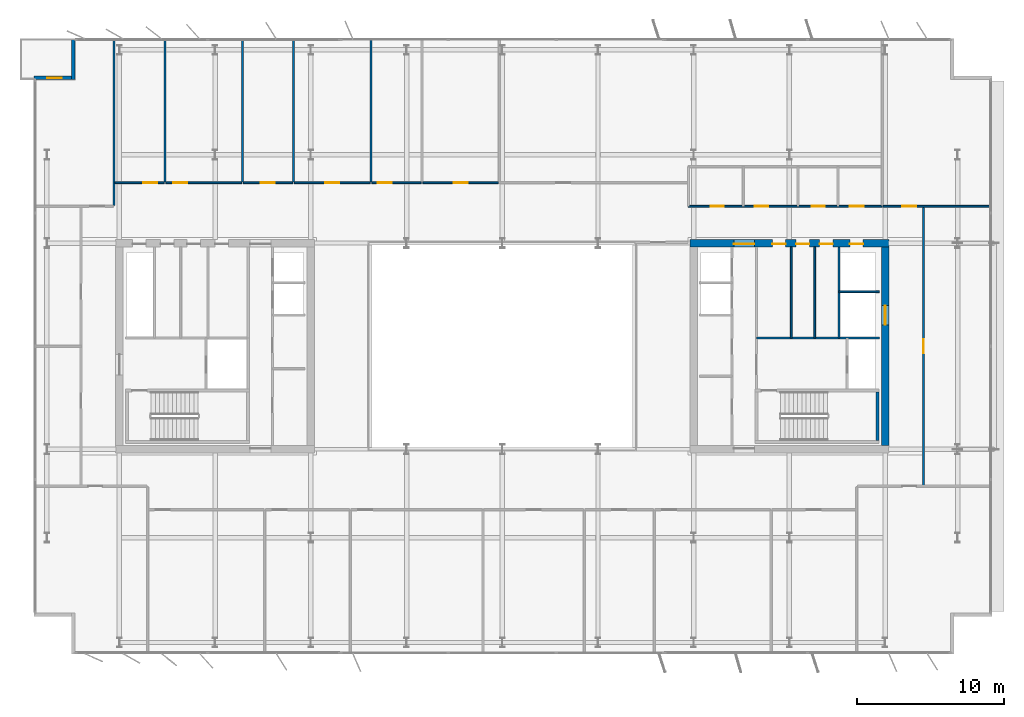
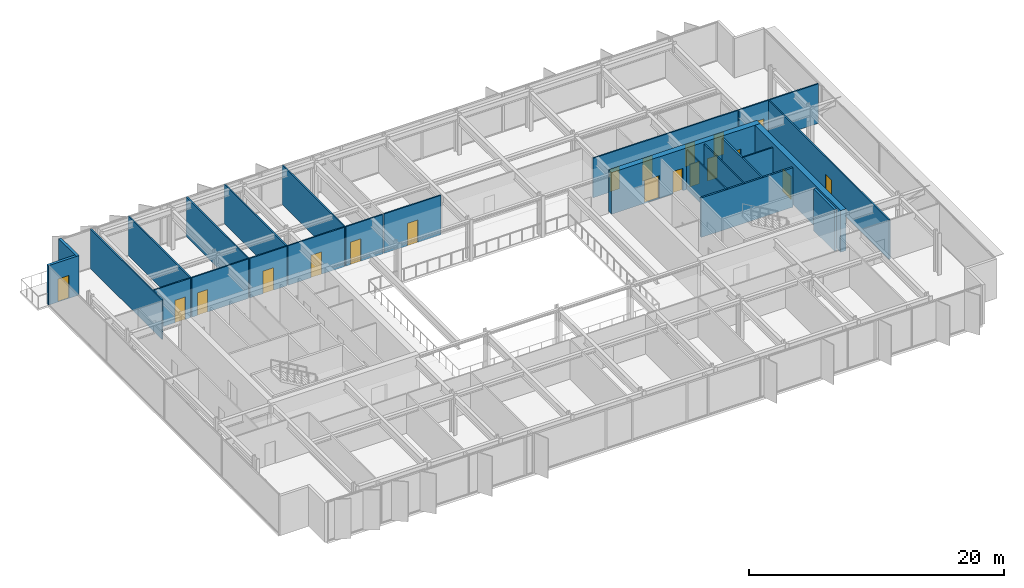
# One storey, part 15 of 21: 24 walls, 19 doors, 19 openings.
"""IFC4 building model written with IfcOpenShell, lengths in metres."""

from ifc_helpers import new_model, si_unit, direction, frame, frame_2d, origin, place, context, subcontext, project, spatial, rectangle, extrude, material, layer, layer_set, type_object, element, fill, save


model = new_model("IFC4")

# Units and contexts
model_context = context("Model", 3, precision=1e-05, world=origin(), true_north=direction((0.0, 1.0)))
body_context = subcontext(model_context, "Body", "Model", "MODEL_VIEW")
ifc_project = project(units=[si_unit("LENGTHUNIT", "METRE"), si_unit("AREAUNIT", "SQUARE_METRE"), si_unit("VOLUMEUNIT", "CUBIC_METRE"), si_unit("PLANEANGLEUNIT", "RADIAN"), si_unit("MASSUNIT", "GRAM", prefix="KILO")], contexts=[model_context])

# Site, building, storey
site_placement = place(None, origin())
site = spatial("IfcSite", under=ifc_project, at=site_placement, CompositionType="ELEMENT")
building_placement = place(site_placement, origin())
building = spatial("IfcBuilding", under=site, at=building_placement, Name="Putna Gate Headquarters", CompositionType="ELEMENT")
storey_placement = place(building_placement, frame((0.0, 0.0, 278.39990234375)))
storey = spatial("IfcBuildingStorey", under=building, at=storey_placement, Name="L70", CompositionType="ELEMENT", Elevation=278.39990234375)

# Wall, openings, doors
ifc_material_1 = material(Name="Concrete C50/60", Category="concrete")
ifc_layer_1 = layer(ifc_material_1, 0.5)
ifc_layer_set_1 = layer_set([ifc_layer_1], Name="Concrete C50/60")
wall_type_1 = type_object("IfcWallType", Name="WALL-CORE-500", PredefinedType="SHEAR", material=ifc_layer_set_1)
wall_1_placement = place(storey_placement, frame((51.75, 33.0, 0.0), z_axis=(0.0, 0.0, 1.0), x_axis=(1.0, 0.0, 0.0)))
wall_1 = element("IfcWall", 1, at=wall_1_placement, inside=storey, type_object=wall_type_1, Name="L70 EC Split Core Shear Wall N", PredefinedType="SHEAR", context=body_context, shape_type="SweptSolid", body=[
    extrude(rectangle(XDim=13.5, YDim=0.5, at=frame_2d((6.75, 0.0))), origin(), (0.0, 0.0, 1.0), 4.0),
])
opening_1_placement = place(wall_1_placement, frame((2.969970703125, 0.0, 0.0)))
opening_1 = element("IfcOpeningElement", 2, at=opening_1_placement, cuts=wall_1, Name="Opening FDD-140", PredefinedType="OPENING", context=body_context, shape_type="SweptSolid", body=[
    extrude(rectangle(XDim=1.39990234375, YDim=2.199951171875, at=frame_2d((0.699951171875, 1.10009765625))), frame((0.0, 0.260009765625, 0.0), z_axis=(0.0, -1.0, 0.0), x_axis=(1.0, 0.0, 0.0)), (0.0, 0.0, 1.0), 0.52001953125),
])
opening_2_placement = place(wall_1_placement, frame((10.85009765625, 0.0, 0.0)))
opening_2 = element("IfcOpeningElement", 3, at=opening_2_placement, cuts=wall_1, Name="Opening RD-90", PredefinedType="OPENING", context=body_context, shape_type="SweptSolid", body=[
    extrude(rectangle(XDim=0.89990234375, YDim=2.14990234375, at=frame_2d((0.449951171875, 1.074951171875))), frame((0.0, 0.260009765625, 0.0), z_axis=(0.0, -1.0, 0.0), x_axis=(1.0, 0.0, 0.0)), (0.0, 0.0, 1.0), 0.52001953125),
])
opening_3_placement = place(wall_1_placement, frame((5.60009765625, 0.0, 0.0)))
opening_3 = element("IfcOpeningElement", 4, at=opening_3_placement, cuts=wall_1, Name="Opening IDS-90", PredefinedType="OPENING", context=body_context, shape_type="SweptSolid", body=[
    extrude(rectangle(XDim=0.89990234375, YDim=2.14990234375, at=frame_2d((0.449951171875, 1.074951171875))), frame((0.0, 0.260009765625, 0.0), z_axis=(0.0, -1.0, 0.0), x_axis=(1.0, 0.0, 0.0)), (0.0, 0.0, 1.0), 0.52001953125),
])
opening_4_placement = place(wall_1_placement, frame((7.199951171875, 0.0, 0.0)))
opening_4 = element("IfcOpeningElement", 5, at=opening_4_placement, cuts=wall_1, Name="Opening IDS-90", PredefinedType="OPENING", context=body_context, shape_type="SweptSolid", body=[
    extrude(rectangle(XDim=0.89990234375, YDim=2.14990234375, at=frame_2d((0.449951171875, 1.074951171875))), frame((0.0, 0.260009765625, 0.0), z_axis=(0.0, -1.0, 0.0), x_axis=(1.0, 0.0, 0.0)), (0.0, 0.0, 1.0), 0.52001953125),
])
opening_5_placement = place(wall_1_placement, frame((8.800048828125, 0.0, 0.0)))
opening_5 = element("IfcOpeningElement", 6, at=opening_5_placement, cuts=wall_1, Name="Opening IDS-90", PredefinedType="OPENING", context=body_context, shape_type="SweptSolid", body=[
    extrude(rectangle(XDim=0.89990234375, YDim=2.14990234375, at=frame_2d((0.449951171875, 1.074951171875))), frame((0.0, 0.260009765625, 0.0), z_axis=(0.0, -1.0, 0.0), x_axis=(1.0, 0.0, 0.0)), (0.0, 0.0, 1.0), 0.52001953125),
])
ifc_material_2 = material(Name="Double steel fire door", Category="steel")
door_type_1 = type_object("IfcDoorType", Name="DOOR-FIRE-DBL-1400", OperationType="DOUBLE_DOOR_SINGLE_SWING", PredefinedType="DOOR", material=ifc_material_2)
door_1_placement = place(opening_1_placement, origin())
door_1 = element("IfcDoor", 7, at=door_1_placement, inside=storey, type_object=door_type_1, Name="L70 East Lift Lobby North Door", OperationType="DOUBLE_DOOR_SINGLE_SWING", OverallHeight=2.199951171875, OverallWidth=1.39990234375, PredefinedType="DOOR", context=body_context, shape_type="SweptSolid", body=[
    extrude(rectangle(XDim=1.39990234375, YDim=2.199951171875, at=frame_2d((0.699951171875, 1.10009765625))), frame((0.0, -0.02490234375, 0.0), z_axis=(0.0, -1.0, 0.0), x_axis=(1.0, 0.0, 0.0)), (0.0, 0.0, 1.0), 0.050048828125),
])
fill(opening_1, door_1)
ifc_material_3 = material(Name="Fire-rated utility door")
door_type_2 = type_object("IfcDoorType", Name="DOOR-INT-900", OperationType="NOTDEFINED", PredefinedType="DOOR", material=ifc_material_3)
door_2_placement = place(opening_3_placement, origin())
door_2 = element("IfcDoor", 8, at=door_2_placement, inside=storey, type_object=door_type_2, Name="L70 East Cleaner Store Door", OperationType="SINGLE_SWING_RIGHT", OverallHeight=2.14990234375, OverallWidth=0.89990234375, PredefinedType="DOOR", context=body_context, shape_type="SweptSolid", body=[
    extrude(rectangle(XDim=0.89990234375, YDim=2.14990234375, at=frame_2d((0.449951171875, 1.074951171875))), frame((0.0, -0.02490234375, 0.0), z_axis=(0.0, -1.0, 0.0), x_axis=(1.0, 0.0, 0.0)), (0.0, 0.0, 1.0), 0.050048828125),
])
fill(opening_3, door_2)
door_3_placement = place(opening_4_placement, origin())
door_3 = element("IfcDoor", 9, at=door_3_placement, inside=storey, type_object=door_type_2, Name="L70 BMS Outstation Door", OperationType="SINGLE_SWING_LEFT", OverallHeight=2.14990234375, OverallWidth=0.89990234375, PredefinedType="DOOR", context=body_context, shape_type="SweptSolid", body=[
    extrude(rectangle(XDim=0.89990234375, YDim=2.14990234375, at=frame_2d((0.449951171875, 1.074951171875))), frame((0.0, -0.02490234375, 0.0), z_axis=(0.0, -1.0, 0.0), x_axis=(1.0, 0.0, 0.0)), (0.0, 0.0, 1.0), 0.050048828125),
])
fill(opening_4, door_3)
door_4_placement = place(opening_5_placement, origin())
door_4 = element("IfcDoor", 10, at=door_4_placement, inside=storey, type_object=door_type_2, Name="L70 Facilities Equipment Store Door", OperationType="SINGLE_SWING_RIGHT", OverallHeight=2.14990234375, OverallWidth=0.89990234375, PredefinedType="DOOR", context=body_context, shape_type="SweptSolid", body=[
    extrude(rectangle(XDim=0.89990234375, YDim=2.14990234375, at=frame_2d((0.449951171875, 1.074951171875))), frame((0.0, -0.02490234375, 0.0), z_axis=(0.0, -1.0, 0.0), x_axis=(1.0, 0.0, 0.0)), (0.0, 0.0, 1.0), 0.050048828125),
])
fill(opening_5, door_4)
ifc_material_4 = material(Name="Steel riser access fire door", Category="steel")
door_type_3 = type_object("IfcDoorType", Name="DOOR-RISER-900", OperationType="NOTDEFINED", PredefinedType="DOOR", material=ifc_material_4)
door_5_placement = place(opening_2_placement, origin())
door_5 = element("IfcDoor", 11, at=door_5_placement, inside=storey, type_object=door_type_3, Name="L70 East Riser Access Door", OperationType="SINGLE_SWING_LEFT", OverallHeight=2.14990234375, OverallWidth=0.89990234375, PredefinedType="DOOR", context=body_context, shape_type="SweptSolid", body=[
    extrude(rectangle(XDim=0.89990234375, YDim=2.14990234375, at=frame_2d((0.449951171875, 1.074951171875))), frame((0.0, -0.02490234375, 0.0), z_axis=(0.0, -1.0, 0.0), x_axis=(1.0, 0.0, 0.0)), (0.0, 0.0, 1.0), 0.050048828125),
])
fill(opening_2, door_5)

# Wall, opening, door
wall_2_placement = place(storey_placement, frame((65.0, 19.25, 0.0), z_axis=(0.0, 0.0, 1.0), x_axis=(0.0, 1.0, 0.0)))
wall_2 = element("IfcWall", 12, at=wall_2_placement, inside=storey, type_object=wall_type_1, Name="L70 EC Split Core Shear Wall E", PredefinedType="SHEAR", context=body_context, shape_type="SweptSolid", body=[
    extrude(rectangle(XDim=13.5, YDim=0.5, at=frame_2d((6.75, 0.0))), origin(), (0.0, 0.0, 1.0), 4.0),
])
opening_6_placement = place(wall_2_placement, frame((8.199951171875, 0.0, 0.0)))
opening_6 = element("IfcOpeningElement", 13, at=opening_6_placement, cuts=wall_2, Name="Opening LD-2", PredefinedType="OPENING", context=body_context, shape_type="SweptSolid", body=[
    extrude(rectangle(XDim=1.300048828125, YDim=2.199951171875, at=frame_2d((0.64990234375, 1.10009765625))), frame((0.0, 0.260009765625, 0.0), z_axis=(0.0, -1.0, 0.0), x_axis=(1.0, 0.0, 0.0)), (0.0, 0.0, 1.0), 0.52001953125),
])
ifc_material_5 = material(Name="Heavy-duty goods lift sliding landing door")
door_type_4 = type_object("IfcDoorType", Name="DOOR-LIFT-1300", OperationType="DOUBLE_DOOR_SLIDING", PredefinedType="DOOR", material=ifc_material_5)
door_6_placement = place(opening_6_placement, origin())
door_6 = element("IfcDoor", 14, at=door_6_placement, inside=storey, type_object=door_type_4, Name="L70 Goods Lift Landing Door LD-15", OperationType="DOUBLE_DOOR_SLIDING", OverallHeight=2.199951171875, OverallWidth=1.300048828125, PredefinedType="DOOR", context=body_context, shape_type="SweptSolid", body=[
    extrude(rectangle(XDim=1.300048828125, YDim=2.199951171875, at=frame_2d((0.64990234375, 1.10009765625))), frame((0.0, 0.02490234375, 0.0), z_axis=(0.0, -1.0, 0.0), x_axis=(1.0, 0.0, 0.0)), (0.0, 0.0, 1.0), 0.050048828125),
])
fill(opening_6, door_6)

# Wall
ifc_material_6 = material(Name="Precast concrete C40/50", Category="concrete")
ifc_layer_2 = layer(ifc_material_6, 0.239990234375)
ifc_layer_set_2 = layer_set([ifc_layer_2], Name="Precast concrete C40/50")
wall_type_2 = type_object("IfcWallType", Name="WALL-EXT-TERR-240", PredefinedType="STANDARD", material=ifc_layer_set_2)
wall_3_placement = place(storey_placement, frame((9.8798828125, 44.10009765625, 0.0), z_axis=(0.0, 0.0, 1.0), x_axis=(0.0, 1.0, 0.0)))
element("IfcWall", 15, at=wall_3_placement, inside=storey, type_object=wall_type_2, Name="L70 Corner Notch Return Wall NW-V", PredefinedType="STANDARD", context=body_context, shape_type="SweptSolid", body=[
    extrude(rectangle(XDim=2.7998046875, YDim=0.239990234375, at=frame_2d((1.39990234375, 0.0))), origin(), (0.0, 0.0, 1.0), 3.7880859375),
])

# Wall, opening, door
wall_4_placement = place(storey_placement, frame((7.199951171875, 44.219970703125, 0.0), z_axis=(0.0, 0.0, 1.0), x_axis=(1.0, 0.0, 0.0)))
wall_4 = element("IfcWall", 16, at=wall_4_placement, inside=storey, type_object=wall_type_2, Name="L70 Corner Notch Return Wall NW-H", PredefinedType="STANDARD", context=body_context, shape_type="SweptSolid", body=[
    extrude(rectangle(XDim=2.800048828125, YDim=0.239990234375, at=frame_2d((1.39990234375, 0.0))), origin(), (0.0, 0.0, 1.0), 3.7880859375),
])
opening_7_placement = place(wall_4_placement, frame((0.89990234375, 0.0, 0.0)))
opening_7 = element("IfcOpeningElement", 17, at=opening_7_placement, cuts=wall_4, Name="Opening TRD-1", PredefinedType="OPENING", context=body_context, shape_type="SweptSolid", body=[
    extrude(rectangle(XDim=1.0, YDim=2.199951171875, at=frame_2d((0.5, 1.10009765625))), frame((0.0, 0.1298828125, 0.0), z_axis=(0.0, -1.0, 0.0), x_axis=(1.0, 0.0, 0.0)), (0.0, 0.0, 1.0), 0.260009765625),
])
ifc_material_7 = material(Name="Thermally broken bronze glazed terrace door")
door_type_5 = type_object("IfcDoorType", Name="DOOR-TERR-EXT-1000", OperationType="NOTDEFINED", PredefinedType="DOOR", material=ifc_material_7)
door_7_placement = place(opening_7_placement, origin())
door_7 = element("IfcDoor", 18, at=door_7_placement, inside=storey, type_object=door_type_5, Name="L70 Spiral Sky Terrace Door NW", OperationType="SINGLE_SWING_RIGHT", OverallHeight=2.199951171875, OverallWidth=1.0, PredefinedType="DOOR", context=body_context, shape_type="SweptSolid", body=[
    extrude(rectangle(XDim=1.0, YDim=2.199951171875, at=frame_2d((0.5, 1.10009765625))), frame((0.0, 0.02490234375, 0.0), z_axis=(0.0, -1.0, 0.0), x_axis=(1.0, 0.0, 0.0)), (0.0, 0.0, 1.0), 0.050048828125),
])
fill(opening_7, door_7)

# Walls
ifc_material_8 = material(Name="Acoustic gypsum board on metal stud")
ifc_layer_3 = layer(ifc_material_8, 0.1201171875)
ifc_layer_set_3 = layer_set([ifc_layer_3], Name="Acoustic gypsum board on metal stud")
wall_type_3 = type_object("IfcWallType", Name="WALL-PART-120", PredefinedType="PARTITIONING", material=ifc_layer_set_3)
wall_5_placement = place(storey_placement, frame((12.637939453125, 35.56005859375, 0.0), z_axis=(0.0, 0.0, 1.0), x_axis=(0.0, 1.0, 0.0)))
element("IfcWall", 19, at=wall_5_placement, inside=storey, type_object=wall_type_3, Name="L70 Interior Wall PART-L70-NB-DIV-01", PredefinedType="PARTITIONING", context=body_context, shape_type="SweptSolid", body=[
    extrude(rectangle(XDim=11.31982421875, YDim=0.1201171875, at=frame_2d((5.659912109375, 0.0))), origin(), (0.0, 0.0, 1.0), 3.7880859375),
])
for number, where, z_axis, x_axis, name in (
    (20, (16.1005859375, 37.159912109375, 0.0), (0.0, 0.0, 1.0), (0.0, 1.0, 0.0), "L70 Interior Wall PART-L70-NB-DIV-02"),
    (21, (21.358642578125, 37.159912109375, 0.0), (0.0, 0.0, 1.0), (0.0, 1.0, 0.0), "L70 Interior Wall PART-L70-NB-DIV-03"),
    (22, (24.8212890625, 37.159912109375, 0.0), (0.0, 0.0, 1.0), (0.0, 1.0, 0.0), "L70 Interior Wall PART-L70-NB-DIV-04"),
    (23, (30.079345703125, 37.159912109375, 0.0), (0.0, 0.0, 1.0), (0.0, 1.0, 0.0), "L70 Interior Wall PART-L70-NB-DIV-05"),
):
    element("IfcWall", number, at=place(storey_placement, frame(where, z_axis=z_axis, x_axis=x_axis)), inside=storey, type_object=wall_type_3, Name=name, PredefinedType="PARTITIONING", context=body_context, shape_type="SweptSolid", body=[
        extrude(rectangle(XDim=9.719970703125, YDim=0.1201171875, at=frame_2d((4.85986328125, 0.0))), origin(), (0.0, 0.0, 1.0), 3.7880859375),
    ])
ifc_material_9 = material(Name="Fire-rated shaftwall gypsum board on metal stud")
ifc_layer_4 = layer(ifc_material_9, 0.1201171875)
ifc_layer_set_4 = layer_set([ifc_layer_4], Name="Fire-rated shaftwall gypsum board on metal stud")
wall_type_4 = type_object("IfcWallType", Name="WALL-PART-120-EI120", PredefinedType="PARTITIONING", material=ifc_layer_set_4)
wall_6_placement = place(storey_placement, frame((61.8701171875, 29.699951171875, 0.0), z_axis=(0.0, 0.0, 1.0), x_axis=(1.0, 0.0, 0.0)))
element("IfcWall", 24, at=wall_6_placement, inside=storey, type_object=wall_type_4, Name="L70 Interior Wall CWINT-L70-EC-LF15-N", PredefinedType="PARTITIONING", context=body_context, shape_type="SweptSolid", body=[
    extrude(rectangle(XDim=2.72998046875, YDim=0.1201171875, at=frame_2d((1.364990234375, 0.0))), origin(), (0.0, 0.0, 1.0), 3.7880859375),
])
ifc_material_10 = material(Name="Fire-rated gypsum board on metal stud")
ifc_layer_5 = layer(ifc_material_10, 0.1201171875)
ifc_layer_set_5 = layer_set([ifc_layer_5], Name="Fire-rated gypsum board on metal stud")
wall_type_5 = type_object("IfcWallType", Name="WALL-PART-120-RATED", PredefinedType="PARTITIONING", material=ifc_layer_set_5)
for number, where, z_axis, x_axis, name in (
    (25, (58.6201171875, 26.56005859375, 0.0), (0.0, 0.0, 1.0), (0.0, 1.0, 0.0), "L70 Interior Wall CWINT-L70-EC-K2-D1"),
    (26, (60.219970703125, 26.56005859375, 0.0), (0.0, 0.0, 1.0), (0.0, 1.0, 0.0), "L70 Interior Wall CWINT-L70-EC-K2-D2"),
):
    element("IfcWall", number, at=place(storey_placement, frame(where, z_axis=z_axis, x_axis=x_axis)), inside=storey, type_object=wall_type_5, Name=name, PredefinedType="PARTITIONING", context=body_context, shape_type="SweptSolid", body=[
        extrude(rectangle(XDim=6.18994140625, YDim=0.1201171875, at=frame_2d((3.094970703125, 0.0))), origin(), (0.0, 0.0, 1.0), 3.7880859375),
    ])

# Wall, openings, doors
wall_7_placement = place(storey_placement, frame((51.639892578125, 35.5, 0.0), z_axis=(0.0, 0.0, 1.0), x_axis=(1.0, 0.0, 0.0)))
wall_7 = element("IfcWall", 27, at=wall_7_placement, inside=storey, type_object=wall_type_5, Name="L70 Interior Wall PART-L70-SAN-CW", PredefinedType="PARTITIONING", context=body_context, shape_type="SweptSolid", body=[
    extrude(rectangle(XDim=13.16015625, YDim=0.1201171875, at=frame_2d((6.580078125, 0.0))), origin(), (0.0, 0.0, 1.0), 3.7880859375),
])
opening_8_placement = place(wall_7_placement, frame((1.510009765625, 0.0, 0.0)))
opening_8 = element("IfcOpeningElement", 28, at=opening_8_placement, cuts=wall_7, Name="Opening FD-90", PredefinedType="OPENING", context=body_context, shape_type="SweptSolid", body=[
    extrude(rectangle(XDim=0.89990234375, YDim=2.14990234375, at=frame_2d((0.449951171875, 1.074951171875))), frame((0.0, 0.070068359375, 0.0), z_axis=(0.0, -1.0, 0.0), x_axis=(1.0, 0.0, 0.0)), (0.0, 0.0, 1.0), 0.14013671875),
])
opening_9_placement = place(wall_7_placement, frame((4.510009765625, 0.0, 0.0)))
opening_9 = element("IfcOpeningElement", 29, at=opening_9_placement, cuts=wall_7, Name="Opening FD-90", PredefinedType="OPENING", context=body_context, shape_type="SweptSolid", body=[
    extrude(rectangle(XDim=0.89990234375, YDim=2.14990234375, at=frame_2d((0.449951171875, 1.074951171875))), frame((0.0, 0.070068359375, 0.0), z_axis=(0.0, -1.0, 0.0), x_axis=(1.0, 0.0, 0.0)), (0.0, 0.0, 1.0), 0.14013671875),
])
opening_10_placement = place(wall_7_placement, frame((8.360107421875, 0.0, 0.0)))
opening_10 = element("IfcOpeningElement", 30, at=opening_10_placement, cuts=wall_7, Name="Opening FD-90", PredefinedType="OPENING", context=body_context, shape_type="SweptSolid", body=[
    extrude(rectangle(XDim=0.89990234375, YDim=2.14990234375, at=frame_2d((0.449951171875, 1.074951171875))), frame((0.0, 0.070068359375, 0.0), z_axis=(0.0, -1.0, 0.0), x_axis=(1.0, 0.0, 0.0)), (0.0, 0.0, 1.0), 0.14013671875),
])
opening_11_placement = place(wall_7_placement, frame((10.9599609375, 0.0, 0.0)))
opening_11 = element("IfcOpeningElement", 31, at=opening_11_placement, cuts=wall_7, Name="Opening FD-95", PredefinedType="OPENING", context=body_context, shape_type="SweptSolid", body=[
    extrude(rectangle(XDim=0.949951171875, YDim=2.14990234375, at=frame_2d((0.47509765625, 1.074951171875))), frame((0.0, 0.070068359375, 0.0), z_axis=(0.0, -1.0, 0.0), x_axis=(1.0, 0.0, 0.0)), (0.0, 0.0, 1.0), 0.14013671875),
])
ifc_material_11 = material(Name="Acoustic washroom fire door")
door_type_6 = type_object("IfcDoorType", Name="DOOR-FIRE-900", OperationType="NOTDEFINED", PredefinedType="DOOR", material=ifc_material_11)
door_8_placement = place(opening_8_placement, origin())
door_8 = element("IfcDoor", 32, at=door_8_placement, inside=storey, type_object=door_type_6, Name="L70 Washroom Male Door", OperationType="SINGLE_SWING_RIGHT", OverallHeight=2.14990234375, OverallWidth=0.89990234375, PredefinedType="DOOR", context=body_context, shape_type="SweptSolid", body=[
    extrude(rectangle(XDim=0.89990234375, YDim=2.14990234375, at=frame_2d((0.449951171875, 1.074951171875))), frame((0.0, 0.02490234375, 0.0), z_axis=(0.0, -1.0, 0.0), x_axis=(1.0, 0.0, 0.0)), (0.0, 0.0, 1.0), 0.050048828125),
])
fill(opening_8, door_8)
door_9_placement = place(opening_9_placement, origin())
door_9 = element("IfcDoor", 33, at=door_9_placement, inside=storey, type_object=door_type_6, Name="L70 Washroom Female Door", OperationType="SINGLE_SWING_LEFT", OverallHeight=2.14990234375, OverallWidth=0.89990234375, PredefinedType="DOOR", context=body_context, shape_type="SweptSolid", body=[
    extrude(rectangle(XDim=0.89990234375, YDim=2.14990234375, at=frame_2d((0.449951171875, 1.074951171875))), frame((0.0, 0.02490234375, 0.0), z_axis=(0.0, -1.0, 0.0), x_axis=(1.0, 0.0, 0.0)), (0.0, 0.0, 1.0), 0.050048828125),
])
fill(opening_9, door_9)
door_10_placement = place(opening_10_placement, origin())
door_10 = element("IfcDoor", 34, at=door_10_placement, inside=storey, type_object=door_type_6, Name="L70 Accessible WC Door", OperationType="SINGLE_SWING_RIGHT", OverallHeight=2.14990234375, OverallWidth=0.89990234375, PredefinedType="DOOR", context=body_context, shape_type="SweptSolid", body=[
    extrude(rectangle(XDim=0.89990234375, YDim=2.14990234375, at=frame_2d((0.449951171875, 1.074951171875))), frame((0.0, 0.02490234375, 0.0), z_axis=(0.0, -1.0, 0.0), x_axis=(1.0, 0.0, 0.0)), (0.0, 0.0, 1.0), 0.050048828125),
])
fill(opening_10, door_10)
ifc_material_12 = material(Name="Acoustic timber fire door", Category="wood")
door_type_7 = type_object("IfcDoorType", Name="DOOR-FIRE-950", OperationType="NOTDEFINED", PredefinedType="DOOR", material=ifc_material_12)
door_11_placement = place(opening_11_placement, origin())
door_11 = element("IfcDoor", 35, at=door_11_placement, inside=storey, type_object=door_type_7, Name="L70 Staff Pantry and Tea Point Door", OperationType="SINGLE_SWING_LEFT", OverallHeight=2.14990234375, OverallWidth=0.949951171875, PredefinedType="DOOR", context=body_context, shape_type="SweptSolid", body=[
    extrude(rectangle(XDim=0.949951171875, YDim=2.14990234375, at=frame_2d((0.47509765625, 1.074951171875))), frame((0.0, 0.02490234375, 0.0), z_axis=(0.0, -1.0, 0.0), x_axis=(1.0, 0.0, 0.0)), (0.0, 0.0, 1.0), 0.050048828125),
])
fill(opening_11, door_11)

# Wall, opening, door
wall_8_placement = place(storey_placement, frame((12.697998046875, 37.10009765625, 0.0), z_axis=(0.0, 0.0, 1.0), x_axis=(1.0, 0.0, 0.0)))
wall_8 = element("IfcWall", 36, at=wall_8_placement, inside=storey, type_object=wall_type_5, Name="L70 Interior Wall PART-L70-NB-CW-02", PredefinedType="PARTITIONING", context=body_context, shape_type="SweptSolid", body=[
    extrude(rectangle(XDim=3.3427734375, YDim=0.1201171875, at=frame_2d((1.67138671875, 0.0))), origin(), (0.0, 0.0, 1.0), 3.7880859375),
])
opening_12_placement = place(wall_8_placement, frame((1.91259765625, 0.0, 0.0)))
opening_12 = element("IfcOpeningElement", 37, at=opening_12_placement, cuts=wall_8, Name="Opening FD-95", PredefinedType="OPENING", context=body_context, shape_type="SweptSolid", body=[
    extrude(rectangle(XDim=0.949951171875, YDim=2.14990234375, at=frame_2d((0.47509765625, 1.074951171875))), frame((0.0, 0.070068359375, 0.0), z_axis=(0.0, -1.0, 0.0), x_axis=(1.0, 0.0, 0.0)), (0.0, 0.0, 1.0), 0.14013671875),
])
door_12_placement = place(opening_12_placement, origin())
door_12 = element("IfcDoor", 38, at=door_12_placement, inside=storey, type_object=door_type_7, Name="L70 Cellular Office 3 Door", OperationType="SINGLE_SWING_LEFT", OverallHeight=2.14990234375, OverallWidth=0.949951171875, PredefinedType="DOOR", context=body_context, shape_type="SweptSolid", body=[
    extrude(rectangle(XDim=0.949951171875, YDim=2.14990234375, at=frame_2d((0.47509765625, 1.074951171875))), frame((0.0, 0.02490234375, 0.0), z_axis=(0.0, -1.0, 0.0), x_axis=(1.0, 0.0, 0.0)), (0.0, 0.0, 1.0), 0.050048828125),
])
fill(opening_12, door_12)

wall_9_placement = place(storey_placement, frame((16.16064453125, 37.10009765625, 0.0), z_axis=(0.0, 0.0, 1.0), x_axis=(1.0, 0.0, 0.0)))
wall_9 = element("IfcWall", 39, at=wall_9_placement, inside=storey, type_object=wall_type_5, Name="L70 Interior Wall PART-L70-NB-CW-03", PredefinedType="PARTITIONING", context=body_context, shape_type="SweptSolid", body=[
    extrude(rectangle(XDim=5.137939453125, YDim=0.1201171875, at=frame_2d((2.56884765625, 0.0))), origin(), (0.0, 0.0, 1.0), 3.7880859375),
])
opening_13_placement = place(wall_9_placement, frame((0.47998046875, 0.0, 0.0)))
opening_13 = element("IfcOpeningElement", 40, at=opening_13_placement, cuts=wall_9, Name="Opening FD-95", PredefinedType="OPENING", context=body_context, shape_type="SweptSolid", body=[
    extrude(rectangle(XDim=0.949951171875, YDim=2.14990234375, at=frame_2d((0.47509765625, 1.074951171875))), frame((0.0, 0.070068359375, 0.0), z_axis=(0.0, -1.0, 0.0), x_axis=(1.0, 0.0, 0.0)), (0.0, 0.0, 1.0), 0.14013671875),
])
door_13_placement = place(opening_13_placement, origin())
door_13 = element("IfcDoor", 41, at=door_13_placement, inside=storey, type_object=door_type_7, Name="L70 Cellular Office 4 Door", OperationType="SINGLE_SWING_RIGHT", OverallHeight=2.14990234375, OverallWidth=0.949951171875, PredefinedType="DOOR", context=body_context, shape_type="SweptSolid", body=[
    extrude(rectangle(XDim=0.949951171875, YDim=2.14990234375, at=frame_2d((0.47509765625, 1.074951171875))), frame((0.0, 0.02490234375, 0.0), z_axis=(0.0, -1.0, 0.0), x_axis=(1.0, 0.0, 0.0)), (0.0, 0.0, 1.0), 0.050048828125),
])
fill(opening_13, door_13)

wall_10_placement = place(storey_placement, frame((21.418701171875, 37.10009765625, 0.0), z_axis=(0.0, 0.0, 1.0), x_axis=(1.0, 0.0, 0.0)))
wall_10 = element("IfcWall", 42, at=wall_10_placement, inside=storey, type_object=wall_type_5, Name="L70 Interior Wall PART-L70-NB-CW-04", PredefinedType="PARTITIONING", context=body_context, shape_type="SweptSolid", body=[
    extrude(rectangle(XDim=3.342529296875, YDim=0.1201171875, at=frame_2d((1.67138671875, 0.0))), origin(), (0.0, 0.0, 1.0), 3.7880859375),
])
opening_14_placement = place(wall_10_placement, frame((1.1962890625, 0.0, 0.0)))
opening_14 = element("IfcOpeningElement", 43, at=opening_14_placement, cuts=wall_10, Name="Opening FD-95", PredefinedType="OPENING", context=body_context, shape_type="SweptSolid", body=[
    extrude(rectangle(XDim=0.949951171875, YDim=2.14990234375, at=frame_2d((0.47509765625, 1.074951171875))), frame((0.0, 0.070068359375, 0.0), z_axis=(0.0, -1.0, 0.0), x_axis=(1.0, 0.0, 0.0)), (0.0, 0.0, 1.0), 0.14013671875),
])
door_14_placement = place(opening_14_placement, origin())
door_14 = element("IfcDoor", 44, at=door_14_placement, inside=storey, type_object=door_type_7, Name="L70 Cellular Office 5 Door", OperationType="SINGLE_SWING_LEFT", OverallHeight=2.14990234375, OverallWidth=0.949951171875, PredefinedType="DOOR", context=body_context, shape_type="SweptSolid", body=[
    extrude(rectangle(XDim=0.949951171875, YDim=2.14990234375, at=frame_2d((0.47509765625, 1.074951171875))), frame((0.0, 0.02490234375, 0.0), z_axis=(0.0, -1.0, 0.0), x_axis=(1.0, 0.0, 0.0)), (0.0, 0.0, 1.0), 0.050048828125),
])
fill(opening_14, door_14)

wall_11_placement = place(storey_placement, frame((24.88134765625, 37.10009765625, 0.0), z_axis=(0.0, 0.0, 1.0), x_axis=(1.0, 0.0, 0.0)))
wall_11 = element("IfcWall", 45, at=wall_11_placement, inside=storey, type_object=wall_type_5, Name="L70 Interior Wall PART-L70-NB-CW-05", PredefinedType="PARTITIONING", context=body_context, shape_type="SweptSolid", body=[
    extrude(rectangle(XDim=5.137939453125, YDim=0.1201171875, at=frame_2d((2.56884765625, 0.0))), origin(), (0.0, 0.0, 1.0), 3.7880859375),
])
opening_15_placement = place(wall_11_placement, frame((2.093994140625, 0.0, 0.0)))
opening_15 = element("IfcOpeningElement", 46, at=opening_15_placement, cuts=wall_11, Name="Opening FD-95", PredefinedType="OPENING", context=body_context, shape_type="SweptSolid", body=[
    extrude(rectangle(XDim=0.949951171875, YDim=2.14990234375, at=frame_2d((0.47509765625, 1.074951171875))), frame((0.0, 0.070068359375, 0.0), z_axis=(0.0, -1.0, 0.0), x_axis=(1.0, 0.0, 0.0)), (0.0, 0.0, 1.0), 0.14013671875),
])
door_15_placement = place(opening_15_placement, origin())
door_15 = element("IfcDoor", 47, at=door_15_placement, inside=storey, type_object=door_type_7, Name="L70 Cellular Office 6 Door", OperationType="SINGLE_SWING_RIGHT", OverallHeight=2.14990234375, OverallWidth=0.949951171875, PredefinedType="DOOR", context=body_context, shape_type="SweptSolid", body=[
    extrude(rectangle(XDim=0.949951171875, YDim=2.14990234375, at=frame_2d((0.47509765625, 1.074951171875))), frame((0.0, 0.02490234375, 0.0), z_axis=(0.0, -1.0, 0.0), x_axis=(1.0, 0.0, 0.0)), (0.0, 0.0, 1.0), 0.050048828125),
])
fill(opening_15, door_15)

wall_12_placement = place(storey_placement, frame((30.139404296875, 37.10009765625, 0.0), z_axis=(0.0, 0.0, 1.0), x_axis=(1.0, 0.0, 0.0)))
wall_12 = element("IfcWall", 48, at=wall_12_placement, inside=storey, type_object=wall_type_5, Name="L70 Interior Wall PART-L70-NB-CW-06", PredefinedType="PARTITIONING", context=body_context, shape_type="SweptSolid", body=[
    extrude(rectangle(XDim=3.342529296875, YDim=0.1201171875, at=frame_2d((1.67138671875, 0.0))), origin(), (0.0, 0.0, 1.0), 3.7880859375),
])
opening_16_placement = place(wall_12_placement, frame((0.3994140625, 0.0, 0.0)))
opening_16 = element("IfcOpeningElement", 49, at=opening_16_placement, cuts=wall_12, Name="Opening FD-95", PredefinedType="OPENING", context=body_context, shape_type="SweptSolid", body=[
    extrude(rectangle(XDim=0.949951171875, YDim=2.14990234375, at=frame_2d((0.47509765625, 1.074951171875))), frame((0.0, 0.070068359375, 0.0), z_axis=(0.0, -1.0, 0.0), x_axis=(1.0, 0.0, 0.0)), (0.0, 0.0, 1.0), 0.14013671875),
])
door_16_placement = place(opening_16_placement, origin())
door_16 = element("IfcDoor", 50, at=door_16_placement, inside=storey, type_object=door_type_7, Name="L70 Cellular Office 7 Door", OperationType="SINGLE_SWING_LEFT", OverallHeight=2.14990234375, OverallWidth=0.949951171875, PredefinedType="DOOR", context=body_context, shape_type="SweptSolid", body=[
    extrude(rectangle(XDim=0.949951171875, YDim=2.14990234375, at=frame_2d((0.47509765625, 1.074951171875))), frame((0.0, 0.02490234375, 0.0), z_axis=(0.0, -1.0, 0.0), x_axis=(1.0, 0.0, 0.0)), (0.0, 0.0, 1.0), 0.050048828125),
])
fill(opening_16, door_16)

wall_13_placement = place(storey_placement, frame((33.60205078125, 37.10009765625, 0.0), z_axis=(0.0, 0.0, 1.0), x_axis=(1.0, 0.0, 0.0)))
wall_13 = element("IfcWall", 51, at=wall_13_placement, inside=storey, type_object=wall_type_5, Name="L70 Interior Wall PART-L70-NB-CW-07", PredefinedType="PARTITIONING", context=body_context, shape_type="SweptSolid", body=[
    extrude(rectangle(XDim=5.137939453125, YDim=0.1201171875, at=frame_2d((2.56884765625, 0.0))), origin(), (0.0, 0.0, 1.0), 3.7880859375),
])
opening_17_placement = place(wall_13_placement, frame((2.093994140625, 0.0, 0.0)))
opening_17 = element("IfcOpeningElement", 52, at=opening_17_placement, cuts=wall_13, Name="Opening FD-95", PredefinedType="OPENING", context=body_context, shape_type="SweptSolid", body=[
    extrude(rectangle(XDim=0.949951171875, YDim=2.14990234375, at=frame_2d((0.47509765625, 1.074951171875))), frame((0.0, 0.070068359375, 0.0), z_axis=(0.0, -1.0, 0.0), x_axis=(1.0, 0.0, 0.0)), (0.0, 0.0, 1.0), 0.14013671875),
])
door_17_placement = place(opening_17_placement, origin())
door_17 = element("IfcDoor", 53, at=door_17_placement, inside=storey, type_object=door_type_7, Name="L70 Conference Meeting Room 1 Door", OperationType="SINGLE_SWING_RIGHT", OverallHeight=2.14990234375, OverallWidth=0.949951171875, PredefinedType="DOOR", context=body_context, shape_type="SweptSolid", body=[
    extrude(rectangle(XDim=0.949951171875, YDim=2.14990234375, at=frame_2d((0.47509765625, 1.074951171875))), frame((0.0, 0.02490234375, 0.0), z_axis=(0.0, -1.0, 0.0), x_axis=(1.0, 0.0, 0.0)), (0.0, 0.0, 1.0), 0.050048828125),
])
fill(opening_17, door_17)

wall_14_placement = place(storey_placement, frame((64.860107421875, 35.5, 0.0), z_axis=(0.0, 0.0, 1.0), x_axis=(1.0, 0.0, 0.0)))
wall_14 = element("IfcWall", 54, at=wall_14_placement, inside=storey, type_object=wall_type_5, Name="L70 Interior Wall PART-L70-NB-CW-09", PredefinedType="PARTITIONING", context=body_context, shape_type="SweptSolid", body=[
    extrude(rectangle(XDim=7.2109375, YDim=0.1201171875, at=frame_2d((3.60546875, 0.0))), origin(), (0.0, 0.0, 1.0), 3.7880859375),
])
opening_18_placement = place(wall_14_placement, frame((1.31005859375, 0.0, 0.0)))
opening_18 = element("IfcOpeningElement", 55, at=opening_18_placement, cuts=wall_14, Name="Opening FD-95", PredefinedType="OPENING", context=body_context, shape_type="SweptSolid", body=[
    extrude(rectangle(XDim=0.949951171875, YDim=2.14990234375, at=frame_2d((0.47509765625, 1.074951171875))), frame((0.0, 0.070068359375, 0.0), z_axis=(0.0, -1.0, 0.0), x_axis=(1.0, 0.0, 0.0)), (0.0, 0.0, 1.0), 0.14013671875),
])
door_18_placement = place(opening_18_placement, origin())
door_18 = element("IfcDoor", 56, at=door_18_placement, inside=storey, type_object=door_type_7, Name="L70 Quiet Wellness Focus Studio 1 Door", OperationType="SINGLE_SWING_RIGHT", OverallHeight=2.14990234375, OverallWidth=0.949951171875, PredefinedType="DOOR", context=body_context, shape_type="SweptSolid", body=[
    extrude(rectangle(XDim=0.949951171875, YDim=2.14990234375, at=frame_2d((0.47509765625, 1.074951171875))), frame((0.0, 0.02490234375, 0.0), z_axis=(0.0, -1.0, 0.0), x_axis=(1.0, 0.0, 0.0)), (0.0, 0.0, 1.0), 0.050048828125),
])
fill(opening_18, door_18)

wall_15_placement = place(storey_placement, frame((67.60009765625, 16.5, 0.0), z_axis=(0.0, 0.0, 1.0), x_axis=(0.0, 1.0, 0.0)))
wall_15 = element("IfcWall", 57, at=wall_15_placement, inside=storey, type_object=wall_type_5, Name="L70 Interior Wall PART-L70-EW-CW-1", PredefinedType="PARTITIONING", context=body_context, shape_type="SweptSolid", body=[
    extrude(rectangle(XDim=19.0, YDim=0.1201171875, at=frame_2d((9.5, 0.0))), origin(), (0.0, 0.0, 1.0), 3.7880859375),
])
opening_19_placement = place(wall_15_placement, frame((9.02490234375, 0.0, 0.0)))
opening_19 = element("IfcOpeningElement", 58, at=opening_19_placement, cuts=wall_15, Name="Opening FD-95", PredefinedType="OPENING", context=body_context, shape_type="SweptSolid", body=[
    extrude(rectangle(XDim=0.949951171875, YDim=2.14990234375, at=frame_2d((0.47509765625, 1.074951171875))), frame((0.0, 0.070068359375, 0.0), z_axis=(0.0, -1.0, 0.0), x_axis=(1.0, 0.0, 0.0)), (0.0, 0.0, 1.0), 0.14013671875),
])
door_19_placement = place(opening_19_placement, origin())
door_19 = element("IfcDoor", 59, at=door_19_placement, inside=storey, type_object=door_type_7, Name="L70 East Advisory Office 1 Door", OperationType="SINGLE_SWING_RIGHT", OverallHeight=2.14990234375, OverallWidth=0.949951171875, PredefinedType="DOOR", context=body_context, shape_type="SweptSolid", body=[
    extrude(rectangle(XDim=0.949951171875, YDim=2.14990234375, at=frame_2d((0.47509765625, 1.074951171875))), frame((0.0, 0.02490234375, 0.0), z_axis=(0.0, -1.0, 0.0), x_axis=(1.0, 0.0, 0.0)), (0.0, 0.0, 1.0), 0.050048828125),
])
fill(opening_19, door_19)

# Walls
ifc_material_13 = material(Name="Concrete C40/50", Category="concrete")
ifc_layer_6 = layer(ifc_material_13, 0.159912109375)
ifc_layer_set_6 = layer_set([ifc_layer_6], Name="Concrete C40/50")
wall_type_6 = type_object("IfcWallType", Name="WALL-SHAFT-160", PredefinedType="STANDARD", material=ifc_layer_set_6)
wall_16_placement = place(storey_placement, frame((56.260009765625, 26.56005859375, 0.0), z_axis=(0.0, 0.0, 1.0), x_axis=(1.0, 0.0, 0.0)))
element("IfcWall", 60, at=wall_16_placement, inside=storey, type_object=wall_type_6, Name="L70 Interior Wall CWINT-L70-EC-FFL-N", PredefinedType="STANDARD", context=body_context, shape_type="SweptSolid", body=[
    extrude(rectangle(XDim=8.340087890625, YDim=0.159912109375, at=frame_2d((4.169921875, 0.0))), origin(), (0.0, 0.0, 1.0), 3.7880859375),
])
wall_17_placement = place(storey_placement, frame((61.8701171875, 26.56005859375, 0.0), z_axis=(0.0, 0.0, 1.0), x_axis=(0.0, 1.0, 0.0)))
element("IfcWall", 61, at=wall_17_placement, inside=storey, type_object=wall_type_6, Name="L70 Interior Wall CWINT-L70-EC-LF15-W", PredefinedType="STANDARD", context=body_context, shape_type="SweptSolid", body=[
    extrude(rectangle(XDim=6.18994140625, YDim=0.159912109375, at=frame_2d((3.094970703125, 0.0))), origin(), (0.0, 0.0, 1.0), 3.7880859375),
])
ifc_layer_7 = layer(ifc_material_13, 0.199951171875)
ifc_layer_set_7 = layer_set([ifc_layer_7], Name="Concrete C40/50")
wall_type_7 = type_object("IfcWallType", Name="WALL-SHAFT-RC200", PredefinedType="SHEAR", material=ifc_layer_set_7)
wall_18_placement = place(storey_placement, frame((64.489990234375, 19.610107421875, 0.0), z_axis=(0.0, 0.0, 1.0), x_axis=(0.0, 1.0, 0.0)))
element("IfcWall", 62, at=wall_18_placement, inside=storey, type_object=wall_type_7, Name="L70 Stair ST2 Structural Shaft Wall E", PredefinedType="SHEAR", context=body_context, shape_type="SweptSolid", body=[
    extrude(rectangle(XDim=3.27978515625, YDim=0.199951171875, at=frame_2d((1.639892578125, 0.0))), origin(), (0.0, 0.0, 1.0), 4.0),
])

save(model, "model.ifc")
